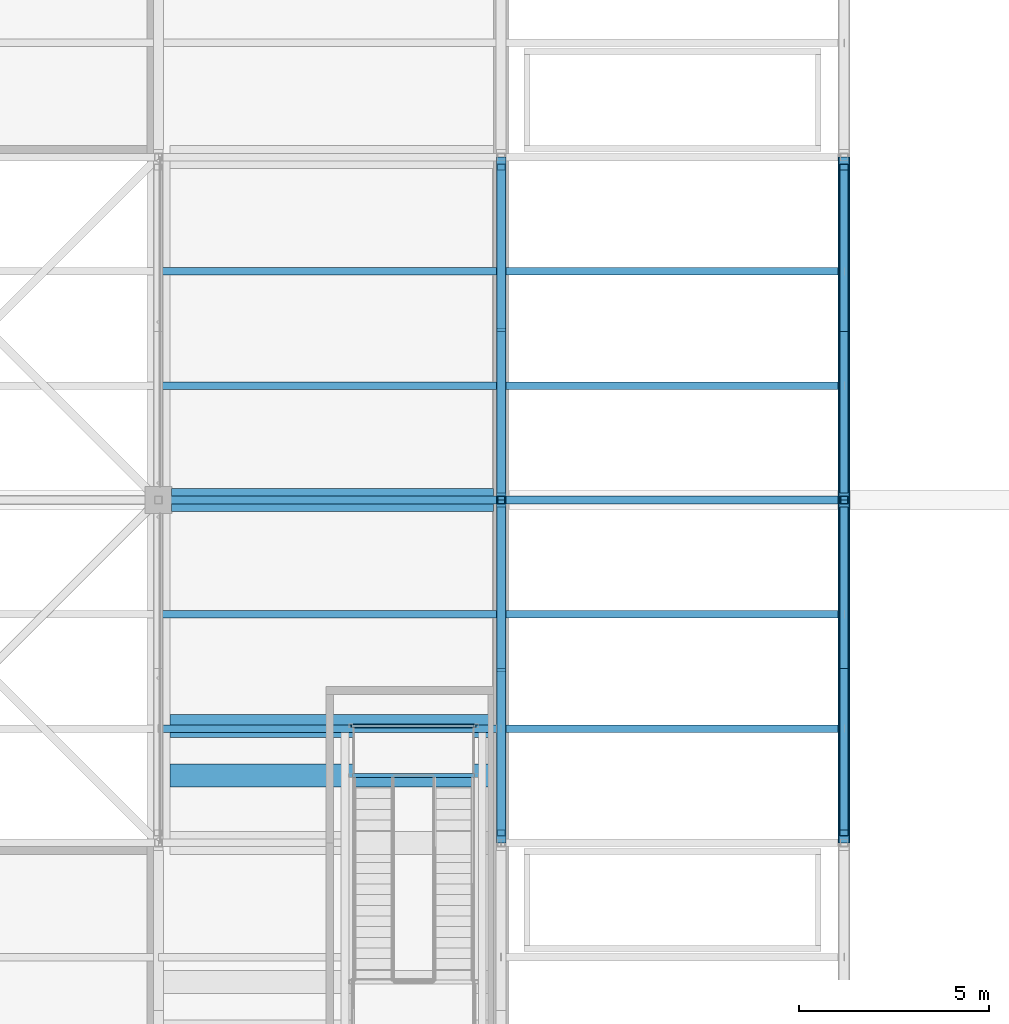
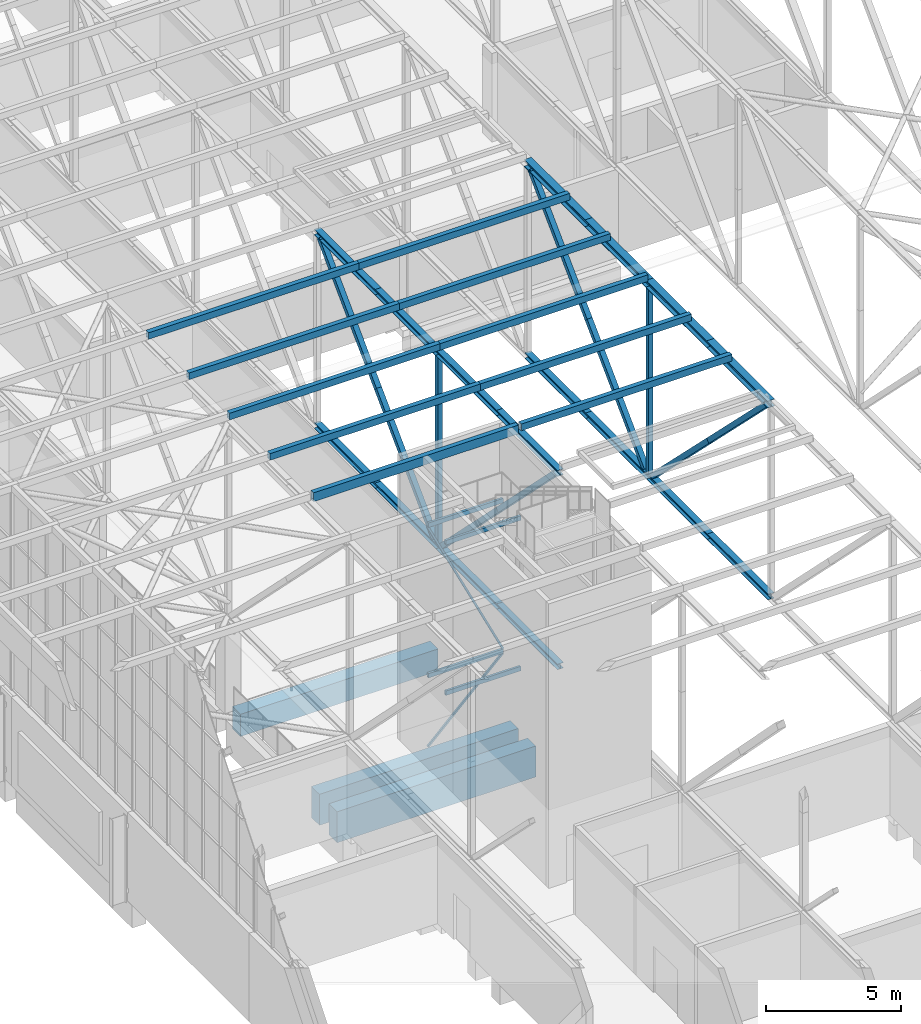
# One storey, part 52 of 646: 40 members, 7 beams.
"""IFC4 building model written with IfcOpenShell, lengths in metres."""

from ifc_helpers import new_model, si_unit, direction, frame, origin, origin_2d, place, context, subcontext, project, spatial, rectangle, hollow_rectangle, i_section, extrude, material, material_profile, profile_set, type_object, element, save


model = new_model("IFC4")

# Units and contexts
model_context = context("Model", 3, precision=1e-05, world=origin(), true_north=direction((0.0, 1.0)))
body_context = subcontext(model_context, "Body", "Model", "MODEL_VIEW")
ifc_project = project(units=[si_unit("LENGTHUNIT", "METRE"), si_unit("AREAUNIT", "SQUARE_METRE"), si_unit("VOLUMEUNIT", "CUBIC_METRE"), si_unit("PLANEANGLEUNIT", "RADIAN"), si_unit("MASSUNIT", "GRAM", prefix="KILO")], contexts=[model_context])

# Site, building, storey
site_placement = place(None, origin())
site = spatial("IfcSite", under=ifc_project, at=site_placement, CompositionType="ELEMENT")
building_placement = place(site_placement, origin())
building = spatial("IfcBuilding", under=site, at=building_placement, Name="Silverbay Arena", CompositionType="ELEMENT")
storey_placement = place(building_placement, frame((0.0, 0.0, 33.5)))
storey = spatial("IfcBuildingStorey", under=building, at=storey_placement, Name="L05", CompositionType="ELEMENT", Elevation=33.5)

# Members
ifc_material_1 = material(Name="Steel S355", Category="steel")
ifc_material_profile_1 = material_profile(ifc_material_1, i_section(OverallWidth=0.2587890625, OverallDepth=0.2666015625, WebThickness=0.0126953125, FlangeThickness=0.0205078125, at=origin_2d()), Name="UC 254x254x107")
ifc_profile_set_1 = profile_set([ifc_material_profile_1], Name="Steel S355")
member_type_1 = type_object("IfcMemberType", Name="Long-span bottom chord UC 254x254x107", PredefinedType="CHORD", material=ifc_profile_set_1)
for number, where, z_axis, x_axis, name in (
    (1, (81.0, 72.0, 4.13330078125), (0.0, 1.0, 0.0), (-1.0, 0.0, 0.0), "ROOF TRUSS 10 bottom chord 08a"),
    (2, (81.0, 76.5, 4.13330078125), (0.0, 1.0, 0.0), (-1.0, 0.0, 0.0), "ROOF TRUSS 10 bottom chord 08b"),
    (3, (81.0, 81.0, 4.13330078125), (0.0, 1.0, 0.0), (-1.0, 0.0, 0.0), "ROOF TRUSS 10 bottom chord 09a"),
    (4, (81.0, 85.5, 4.13330078125), (0.0, 1.0, 0.0), (-1.0, 0.0, 0.0), "ROOF TRUSS 10 bottom chord 09b"),
):
    element("IfcMember", number, at=place(storey_placement, frame(where, z_axis=z_axis, x_axis=x_axis)), inside=storey, type_object=member_type_1, Name=name, PredefinedType="CHORD", context=body_context, shape_type="SweptSolid", body=[
        extrude(i_section(OverallWidth=0.2587890625, OverallDepth=0.2666015625, WebThickness=0.0126953125, FlangeThickness=0.0205078125, at=origin_2d()), origin(), (0.0, 0.0, 1.0), 4.5),
    ])
ifc_material_2 = material(Name="Steel S355", Category="steel")
ifc_material_profile_2 = material_profile(ifc_material_2, i_section(OverallWidth=0.311279296875, OverallDepth=0.3271484375, WebThickness=0.015869140625, FlangeThickness=0.02490234375, at=origin_2d()), Name="UC 305x305x158")
ifc_profile_set_2 = profile_set([ifc_material_profile_2], Name="Steel S355")
member_type_2 = type_object("IfcMemberType", Name="Long-span top chord UC 305x305x158", PredefinedType="CHORD", material=ifc_profile_set_2)
for number, where, z_axis, x_axis, name in (
    (5, (81.0, 72.0, 12.83642578125), (0.0, 1.0, 0.0), (-1.0, 0.0, 0.0), "ROOF TRUSS 10 top chord 08a"),
    (6, (81.0, 76.5, 12.83642578125), (0.0, 1.0, 0.0), (-1.0, 0.0, 0.0), "ROOF TRUSS 10 top chord 08b"),
    (7, (81.0, 81.0, 12.83642578125), (0.0, 1.0, 0.0), (-1.0, 0.0, 0.0), "ROOF TRUSS 10 top chord 09a"),
    (8, (81.0, 85.5, 12.83642578125), (0.0, 1.0, 0.0), (-1.0, 0.0, 0.0), "ROOF TRUSS 10 top chord 09b"),
):
    element("IfcMember", number, at=place(storey_placement, frame(where, z_axis=z_axis, x_axis=x_axis)), inside=storey, type_object=member_type_2, Name=name, PredefinedType="CHORD", context=body_context, shape_type="SweptSolid", body=[
        extrude(i_section(OverallWidth=0.311279296875, OverallDepth=0.3271484375, WebThickness=0.015869140625, FlangeThickness=0.02490234375, at=origin_2d()), origin(), (0.0, 0.0, 1.0), 4.5),
    ])
ifc_material_3 = material(Name="Steel S355", Category="steel")
ifc_material_profile_3 = material_profile(ifc_material_3, hollow_rectangle(XDim=0.219970703125, YDim=0.219970703125, WallThickness=0.008056640625, at=origin_2d()), Name="SHS 220x220x8")
ifc_profile_set_3 = profile_set([ifc_material_profile_3], Name="Steel S355")
member_type_3 = type_object("IfcMemberType", Name="Long-span truss diagonal SHS 220x220x8", PredefinedType="BRACE", material=ifc_profile_set_3)
for number, where, z_axis, x_axis, name in (
    (9, (81.0, 72.26123046875, 12.6728515625), (0.0, 0.710086095222, -0.704114860923), (-1.0, 0.0, 0.0), "ROOF TRUSS 10 diagonal 08a"),
    (10, (81.0, 76.5, 8.4697265625), (0.0, 0.710086095222, -0.704114860923), (-1.0, 0.0, 0.0), "ROOF TRUSS 10 diagonal 08b"),
    (11, (81.0, 89.73876953125, 12.6728515625), (0.0, -0.710086095222, -0.704114860923), (1.0, 0.0, 0.0), "ROOF TRUSS 10 diagonal 09a"),
    (12, (81.0, 85.5, 8.4697265625), (0.0, -0.710086095222, -0.704114860923), (1.0, 0.0, 0.0), "ROOF TRUSS 10 diagonal 09b"),
):
    element("IfcMember", number, at=place(storey_placement, frame(where, z_axis=z_axis, x_axis=x_axis)), inside=storey, type_object=member_type_3, Name=name, PredefinedType="BRACE", context=body_context, shape_type="SweptSolid", body=[
        extrude(hollow_rectangle(XDim=0.219970703125, YDim=0.219970703125, WallThickness=0.008056640625, at=origin_2d()), origin(), (0.0, 0.0, 1.0), 5.969482421875),
    ])
ifc_material_4 = material(Name="Steel S355", Category="steel")
ifc_material_profile_4 = material_profile(ifc_material_4, hollow_rectangle(XDim=0.199951171875, YDim=0.199951171875, WallThickness=0.008056640625, at=origin_2d()), Name="SHS 200x200x8")
ifc_profile_set_4 = profile_set([ifc_material_profile_4], Name="Steel S355")
member_type_4 = type_object("IfcMemberType", Name="Long-span truss vertical SHS 200x200x8", PredefinedType="STRUT", material=ifc_profile_set_4)
for number, where, z_axis, x_axis, name in (
    (13, (81.0, 81.0, 4.2666015625), (0.0, 0.0, 1.0), (1.0, 0.0, 0.0), "ROOF TRUSS 10 vertical 09a"),
    (14, (81.0, 81.0, 8.4697265625), (0.0, 0.0, 1.0), (1.0, 0.0, 0.0), "ROOF TRUSS 10 vertical 09b"),
):
    element("IfcMember", number, at=place(storey_placement, frame(where, z_axis=z_axis, x_axis=x_axis)), inside=storey, type_object=member_type_4, Name=name, PredefinedType="STRUT", context=body_context, shape_type="SweptSolid", body=[
        extrude(hollow_rectangle(XDim=0.199951171875, YDim=0.199951171875, WallThickness=0.008056640625, at=origin_2d()), origin(), (0.0, 0.0, 1.0), 4.203125),
    ])
ifc_material_5 = material(Name="Steel S355", Category="steel")
ifc_material_profile_5 = material_profile(ifc_material_5, i_section(OverallWidth=0.254638671875, OverallDepth=0.254150390625, WebThickness=0.008544921875, FlangeThickness=0.01416015625, at=origin_2d()), Name="UC 254x254x73")
ifc_profile_set_5 = profile_set([ifc_material_profile_5], Name="Steel S355")
member_type_5 = type_object("IfcMemberType", Name="Medium-span bottom chord UC 254x254x73", PredefinedType="CHORD", material=ifc_profile_set_5)
for number, where, z_axis, x_axis, name in (
    (15, (72.0, 72.0, 4.126953125), (0.0, 1.0, 0.0), (-1.0, 0.0, 0.0), "ROOF TRUSS 9 bottom chord 08a"),
    (16, (72.0, 76.5, 4.126953125), (0.0, 1.0, 0.0), (-1.0, 0.0, 0.0), "ROOF TRUSS 9 bottom chord 08b"),
    (17, (72.0, 81.0, 4.126953125), (0.0, 1.0, 0.0), (-1.0, 0.0, 0.0), "ROOF TRUSS 9 bottom chord 09a"),
    (18, (72.0, 85.5, 4.126953125), (0.0, 1.0, 0.0), (-1.0, 0.0, 0.0), "ROOF TRUSS 9 bottom chord 09b"),
):
    element("IfcMember", number, at=place(storey_placement, frame(where, z_axis=z_axis, x_axis=x_axis)), inside=storey, type_object=member_type_5, Name=name, PredefinedType="CHORD", context=body_context, shape_type="SweptSolid", body=[
        extrude(i_section(OverallWidth=0.254638671875, OverallDepth=0.254150390625, WebThickness=0.008544921875, FlangeThickness=0.01416015625, at=origin_2d()), origin(), (0.0, 0.0, 1.0), 4.5),
    ])
ifc_material_6 = material(Name="Steel S355", Category="steel")
ifc_material_profile_6 = material_profile(ifc_material_6, i_section(OverallWidth=0.2587890625, OverallDepth=0.2666015625, WebThickness=0.0126953125, FlangeThickness=0.0205078125, at=origin_2d()), Name="UC 254x254x107")
ifc_profile_set_6 = profile_set([ifc_material_profile_6], Name="Steel S355")
member_type_6 = type_object("IfcMemberType", Name="Medium-span top chord UC 254x254x107", PredefinedType="CHORD", material=ifc_profile_set_6)
for number, where, z_axis, x_axis, name in (
    (19, (72.0, 72.0, 12.86669921875), (0.0, 1.0, 0.0), (-1.0, 0.0, 0.0), "ROOF TRUSS 9 top chord 08a"),
    (20, (72.0, 76.5, 12.86669921875), (0.0, 1.0, 0.0), (-1.0, 0.0, 0.0), "ROOF TRUSS 9 top chord 08b"),
    (21, (72.0, 81.0, 12.86669921875), (0.0, 1.0, 0.0), (-1.0, 0.0, 0.0), "ROOF TRUSS 9 top chord 09a"),
    (22, (72.0, 85.5, 12.86669921875), (0.0, 1.0, 0.0), (-1.0, 0.0, 0.0), "ROOF TRUSS 9 top chord 09b"),
):
    element("IfcMember", number, at=place(storey_placement, frame(where, z_axis=z_axis, x_axis=x_axis)), inside=storey, type_object=member_type_6, Name=name, PredefinedType="CHORD", context=body_context, shape_type="SweptSolid", body=[
        extrude(i_section(OverallWidth=0.2587890625, OverallDepth=0.2666015625, WebThickness=0.0126953125, FlangeThickness=0.0205078125, at=origin_2d()), origin(), (0.0, 0.0, 1.0), 4.5),
    ])
ifc_material_7 = material(Name="Steel S355", Category="steel")
ifc_material_profile_7 = material_profile(ifc_material_7, hollow_rectangle(XDim=0.219970703125, YDim=0.219970703125, WallThickness=0.008056640625, at=origin_2d()), Name="SHS 220x220x8")
ifc_profile_set_7 = profile_set([ifc_material_profile_7], Name="Steel S355")
member_type_7 = type_object("IfcMemberType", Name="Medium-span truss diagonal SHS 220x220x8", PredefinedType="BRACE", material=ifc_profile_set_7)
member_1_placement = place(storey_placement, frame((72.0, 72.260498046875, 12.7333984375), z_axis=(0.0, 0.707086421365, -0.707127140422), x_axis=(-1.0, 0.0, 0.0)))
element("IfcMember", 23, at=member_1_placement, inside=storey, type_object=member_type_7, Name="ROOF TRUSS 9 diagonal 08a", PredefinedType="BRACE", context=body_context, shape_type="SweptSolid", body=[
    extrude(hollow_rectangle(XDim=0.219970703125, YDim=0.219970703125, WallThickness=0.008056640625, at=origin_2d()), origin(), (0.0, 0.0, 1.0), 5.995849609375),
])
member_2_placement = place(storey_placement, frame((72.0, 76.5, 8.49365234375), z_axis=(0.0, 0.707106781187, -0.707106781187), x_axis=(-1.0, 0.0, 0.0)))
element("IfcMember", 24, at=member_2_placement, inside=storey, type_object=member_type_7, Name="ROOF TRUSS 9 diagonal 08b", PredefinedType="BRACE", context=body_context, shape_type="SweptSolid", body=[
    extrude(hollow_rectangle(XDim=0.219970703125, YDim=0.219970703125, WallThickness=0.008056640625, at=origin_2d()), origin(), (0.0, 0.0, 1.0), 5.99560546875),
])
member_3_placement = place(storey_placement, frame((72.0, 89.739501953125, 12.7333984375), z_axis=(0.0, -0.707086421365, -0.707127140422), x_axis=(1.0, 0.0, 0.0)))
element("IfcMember", 25, at=member_3_placement, inside=storey, type_object=member_type_7, Name="ROOF TRUSS 9 diagonal 09a", PredefinedType="BRACE", context=body_context, shape_type="SweptSolid", body=[
    extrude(hollow_rectangle(XDim=0.219970703125, YDim=0.219970703125, WallThickness=0.008056640625, at=origin_2d()), origin(), (0.0, 0.0, 1.0), 5.995849609375),
])
member_4_placement = place(storey_placement, frame((72.0, 85.5, 8.49365234375), z_axis=(0.0, -0.707106781187, -0.707106781187), x_axis=(1.0, 0.0, 0.0)))
element("IfcMember", 26, at=member_4_placement, inside=storey, type_object=member_type_7, Name="ROOF TRUSS 9 diagonal 09b", PredefinedType="BRACE", context=body_context, shape_type="SweptSolid", body=[
    extrude(hollow_rectangle(XDim=0.219970703125, YDim=0.219970703125, WallThickness=0.008056640625, at=origin_2d()), origin(), (0.0, 0.0, 1.0), 5.99560546875),
])
ifc_material_8 = material(Name="Steel S355", Category="steel")
ifc_material_profile_8 = material_profile(ifc_material_8, hollow_rectangle(XDim=0.199951171875, YDim=0.199951171875, WallThickness=0.008056640625, at=origin_2d()), Name="SHS 200x200x8")
ifc_profile_set_8 = profile_set([ifc_material_profile_8], Name="Steel S355")
member_type_8 = type_object("IfcMemberType", Name="Medium-span truss vertical SHS 200x200x8", PredefinedType="STRUT", material=ifc_profile_set_8)
member_5_placement = place(storey_placement, frame((72.0, 81.0, 4.254150390625), z_axis=(0.0, 0.0, 1.0), x_axis=(1.0, 0.0, 0.0)))
element("IfcMember", 27, at=member_5_placement, inside=storey, type_object=member_type_8, Name="ROOF TRUSS 9 vertical 09a", PredefinedType="STRUT", context=body_context, shape_type="SweptSolid", body=[
    extrude(hollow_rectangle(XDim=0.199951171875, YDim=0.199951171875, WallThickness=0.008056640625, at=origin_2d()), origin(), (0.0, 0.0, 1.0), 4.239501953125),
])
member_6_placement = place(storey_placement, frame((72.0, 81.0, 8.49365234375), z_axis=(0.0, 0.0, 1.0), x_axis=(1.0, 0.0, 0.0)))
element("IfcMember", 28, at=member_6_placement, inside=storey, type_object=member_type_8, Name="ROOF TRUSS 9 vertical 09b", PredefinedType="STRUT", context=body_context, shape_type="SweptSolid", body=[
    extrude(hollow_rectangle(XDim=0.199951171875, YDim=0.199951171875, WallThickness=0.008056640625, at=origin_2d()), origin(), (0.0, 0.0, 1.0), 4.23974609375),
])
ifc_material_9 = material(Name="Steel S355", Category="steel")
ifc_material_profile_9 = material_profile(ifc_material_9, hollow_rectangle(XDim=0.199951171875, YDim=0.300048828125, WallThickness=0.00634765625, at=origin_2d()), Name="RHS 300x200x6.3")
ifc_profile_set_9 = profile_set([ifc_material_profile_9], Name="Steel S355")
member_type_9 = type_object("IfcMemberType", Name="Purlin RHS 300x200x6.3", PredefinedType="PURLIN", material=ifc_profile_set_9)
for number, where, z_axis, x_axis, name in (
    (29, (63.0, 78.0, 13.14990234375), (1.0, 0.0, 0.0), (0.0, 1.0, 0.0), "ROOF PURLIN 8-9 line 24"),
    (30, (63.0, 81.0, 13.14990234375), (1.0, 0.0, 0.0), (0.0, 1.0, 0.0), "ROOF PURLIN 8-9 line 25"),
    (31, (63.0, 84.0, 13.14990234375), (1.0, 0.0, 0.0), (0.0, 1.0, 0.0), "ROOF PURLIN 8-9 line 26"),
    (32, (63.0, 87.0, 13.14990234375), (1.0, 0.0, 0.0), (0.0, 1.0, 0.0), "ROOF PURLIN 8-9 line 27"),
    (33, (72.0, 75.0, 13.14990234375), (1.0, 0.0, 0.0), (0.0, 1.0, 0.0), "ROOF PURLIN 9-10 line 23"),
    (34, (72.0, 78.0, 13.14990234375), (1.0, 0.0, 0.0), (0.0, 1.0, 0.0), "ROOF PURLIN 9-10 line 24"),
):
    element("IfcMember", number, at=place(storey_placement, frame(where, z_axis=z_axis, x_axis=x_axis)), inside=storey, type_object=member_type_9, Name=name, PredefinedType="PURLIN", context=body_context, shape_type="SweptSolid", body=[
        extrude(hollow_rectangle(XDim=0.199951171875, YDim=0.300048828125, WallThickness=0.00634765625, at=origin_2d()), origin(), (0.0, 0.0, 1.0), 9.0),
    ])
member_7_placement = place(storey_placement, frame((72.0, 81.0, 13.14990234375), z_axis=(1.0, 0.0, 0.0), x_axis=(0.0, 1.0, 0.0)))
element("IfcMember", 35, at=member_7_placement, inside=storey, type_object=member_type_9, Name="ROOF PURLIN 9-10 line 25", PredefinedType="PURLIN", context=body_context, shape_type="SweptSolid", body=[
    extrude(hollow_rectangle(XDim=0.199951171875, YDim=0.300048828125, WallThickness=0.00634765625, at=origin_2d()), origin(), (0.0, 0.0, 1.0), 8.875),
])
for number, where, z_axis, x_axis, name in (
    (36, (72.0, 84.0, 13.14990234375), (1.0, 0.0, 0.0), (0.0, 1.0, 0.0), "ROOF PURLIN 9-10 line 26"),
    (37, (72.0, 87.0, 13.14990234375), (1.0, 0.0, 0.0), (0.0, 1.0, 0.0), "ROOF PURLIN 9-10 line 27"),
):
    element("IfcMember", number, at=place(storey_placement, frame(where, z_axis=z_axis, x_axis=x_axis)), inside=storey, type_object=member_type_9, Name=name, PredefinedType="PURLIN", context=body_context, shape_type="SweptSolid", body=[
        extrude(hollow_rectangle(XDim=0.199951171875, YDim=0.300048828125, WallThickness=0.00634765625, at=origin_2d()), origin(), (0.0, 0.0, 1.0), 9.0),
    ])
ifc_material_10 = material(Name="Steel S355", Category="steel")
ifc_material_profile_10 = material_profile(ifc_material_10, hollow_rectangle(XDim=0.199951171875, YDim=0.39990234375, WallThickness=0.008056640625, at=origin_2d()), Name="RHS 400x200x8")
ifc_profile_set_10 = profile_set([ifc_material_profile_10], Name="Steel S355")
member_type_10 = type_object("IfcMemberType", Name="Purlin RHS 400x200x8", PredefinedType="PURLIN", material=ifc_profile_set_10)
member_8_placement = place(storey_placement, frame((63.127197265625, 75.0, 13.10009765625), z_axis=(1.0, 0.0, 0.0), x_axis=(0.0, 1.0, 0.0)))
element("IfcMember", 38, at=member_8_placement, inside=storey, type_object=member_type_10, Name="ROOF PURLIN 8-9 line 23", PredefinedType="PURLIN", context=body_context, shape_type="SweptSolid", body=[
    extrude(hollow_rectangle(XDim=0.199951171875, YDim=0.39990234375, WallThickness=0.008056640625, at=origin_2d()), origin(), (0.0, 0.0, 1.0), 8.743408203125),
])

# Beams
ifc_material_11 = material(Name="Concrete Grade C45", Category="concrete")
ifc_material_profile_11 = material_profile(ifc_material_11, rectangle(XDim=0.60009765625, YDim=1.0, at=origin_2d()), Name="RC 600x1000")
ifc_profile_set_11 = profile_set([ifc_material_profile_11], Name="Concrete Grade C45")
beam_type_1 = type_object("IfcBeamType", Name="RC beam 600x1000", PredefinedType="BEAM", material=ifc_profile_set_11)
beam_placement = place(storey_placement, frame((63.35009765625, 81.0, -0.800048828125), z_axis=(1.0, 0.0, 0.0), x_axis=(0.0, 1.0, 0.0)))
element("IfcBeam", 39, at=beam_placement, inside=storey, type_object=beam_type_1, Name="Floor beam L05 035", PredefinedType="BEAM", context=body_context, shape_type="SweptSolid", body=[
    extrude(rectangle(XDim=0.60009765625, YDim=1.0, at=origin_2d()), origin(), (0.0, 0.0, 1.0), 8.449951171875),
])
ifc_material_12 = material(Name="Concrete Grade C45", Category="concrete")
ifc_material_profile_12 = material_profile(ifc_material_12, rectangle(XDim=0.60009765625, YDim=1.39990234375, at=origin_2d()), Name="RC 600x1400")
ifc_profile_set_12 = profile_set([ifc_material_profile_12], Name="Concrete Grade C45")
beam_type_2 = type_object("IfcBeamType", Name="RC transfer beam 600x1400", PredefinedType="BEAM", material=ifc_profile_set_12)
for number, where, z_axis, x_axis, name in (
    (40, (63.300048828125, 73.77001953125, -1.0), (1.0, 0.0, 0.0), (0.0, 1.0, 0.0), "Stair RA1 L05 to ROOF post transfer beam 3"),
    (41, (63.300048828125, 75.070068359375, -1.0), (1.0, 0.0, 0.0), (0.0, 1.0, 0.0), "Stair RA1 L05 to ROOF post transfer beam 4"),
):
    element("IfcBeam", number, at=place(storey_placement, frame(where, z_axis=z_axis, x_axis=x_axis)), inside=storey, type_object=beam_type_2, Name=name, PredefinedType="BEAM", context=body_context, shape_type="SweptSolid", body=[
        extrude(rectangle(XDim=0.60009765625, YDim=1.39990234375, at=origin_2d()), origin(), (0.0, 0.0, 1.0), 8.5),
    ])
ifc_material_13 = material(Name="Steel S355", Category="steel")
ifc_material_profile_13 = material_profile(ifc_material_13, hollow_rectangle(XDim=0.10009765625, YDim=0.199951171875, WallThickness=0.008056640625, at=origin_2d()), Name="RHS 200x100x8")
ifc_profile_set_13 = profile_set([ifc_material_profile_13], Name="Steel S355")
beam_type_3 = type_object("IfcBeamType", Name="Roof access landing beam RHS 200x100x8", PredefinedType="BEAM", material=ifc_profile_set_13)
for number, where, z_axis, x_axis, name in (
    (42, (68.10009765625, 73.77001953125, 3.219970703125), (1.0, 0.0, 0.0), (0.0, 1.0, 0.0), "Stair RA1 L05 to ROOF landing 1 beam a"),
    (43, (68.10009765625, 75.070068359375, 3.219970703125), (1.0, 0.0, 0.0), (0.0, 1.0, 0.0), "Stair RA1 L05 to ROOF landing 1 beam b"),
    (44, (68.10009765625, 73.77001953125, 10.02001953125), (1.0, 0.0, 0.0), (0.0, 1.0, 0.0), "Stair RA1 L05 to ROOF landing 3 beam a"),
    (45, (68.10009765625, 75.070068359375, 10.02001953125), (1.0, 0.0, 0.0), (0.0, 1.0, 0.0), "Stair RA1 L05 to ROOF landing 3 beam b"),
):
    element("IfcBeam", number, at=place(storey_placement, frame(where, z_axis=z_axis, x_axis=x_axis)), inside=storey, type_object=beam_type_3, Name=name, PredefinedType="BEAM", context=body_context, shape_type="SweptSolid", body=[
        extrude(hollow_rectangle(XDim=0.10009765625, YDim=0.199951171875, WallThickness=0.008056640625, at=origin_2d()), origin(), (0.0, 0.0, 1.0), 3.199951171875),
    ])

# Members
ifc_material_14 = material(Name="Steel S355", Category="steel")
ifc_material_profile_14 = material_profile(ifc_material_14, hollow_rectangle(XDim=0.080078125, YDim=0.080078125, WallThickness=0.0048828125, at=origin_2d()), Name="SHS 80x80x5")
ifc_profile_set_14 = profile_set([ifc_material_profile_14], Name="Steel S355")
member_type_11 = type_object("IfcMemberType", Name="Roof access stair bracing SHS 80x80x5", PredefinedType="BRACE", material=ifc_profile_set_14)
member_9_placement = place(storey_placement, frame((68.10009765625, 75.070068359375, 0.0), z_axis=(0.715981709035, 0.0, 0.698119038794), x_axis=(0.0, 1.0, 0.0)))
element("IfcMember", 46, at=member_9_placement, inside=storey, type_object=member_type_11, Name="Stair RA1 L05 to ROOF bracing north face 1", PredefinedType="BRACE", context=body_context, shape_type="SweptSolid", body=[
    extrude(hollow_rectangle(XDim=0.080078125, YDim=0.080078125, WallThickness=0.0048828125, at=origin_2d()), origin(), (0.0, 0.0, 1.0), 4.46923828125),
])
member_10_placement = place(storey_placement, frame((71.300048828125, 75.070068359375, 3.320068359375), z_axis=(-0.436275956545, 0.0, 0.899812919301), x_axis=(0.0, -1.0, 0.0)))
element("IfcMember", 47, at=member_10_placement, inside=storey, type_object=member_type_11, Name="Stair RA1 L05 to ROOF bracing north face 2", PredefinedType="BRACE", context=body_context, shape_type="SweptSolid", body=[
    extrude(hollow_rectangle(XDim=0.080078125, YDim=0.080078125, WallThickness=0.0048828125, at=origin_2d()), origin(), (0.0, 0.0, 1.0), 7.334716796875),
])

save(model, "model.ifc")
